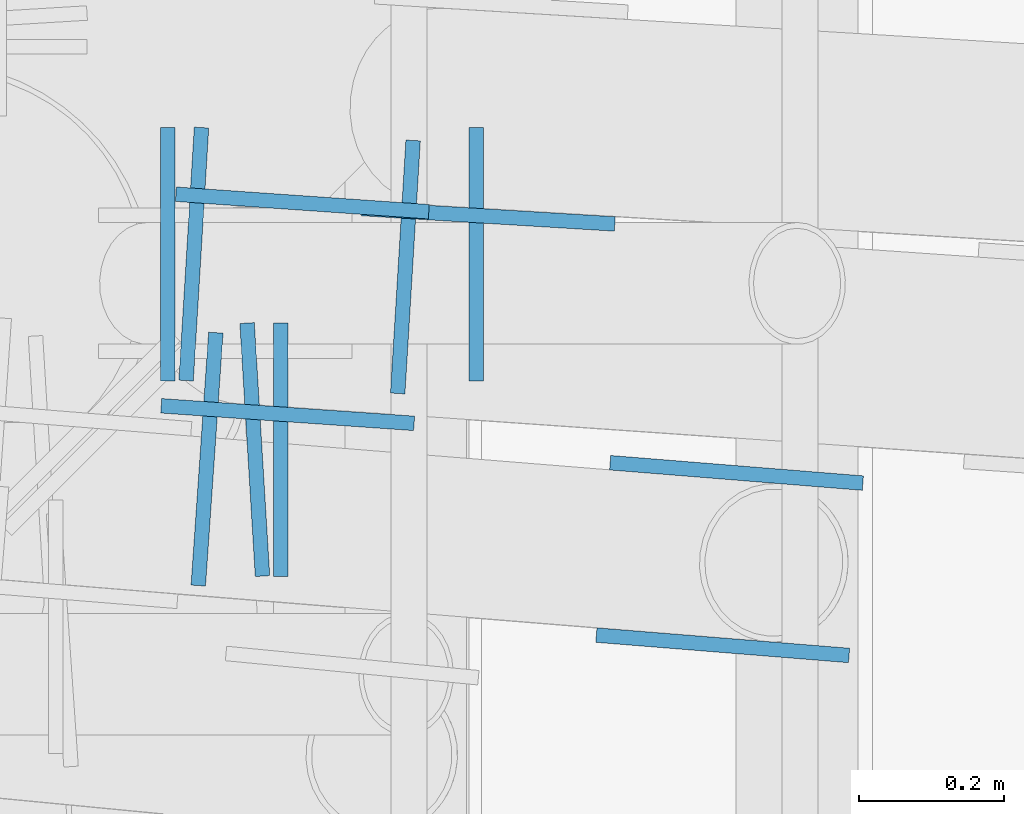
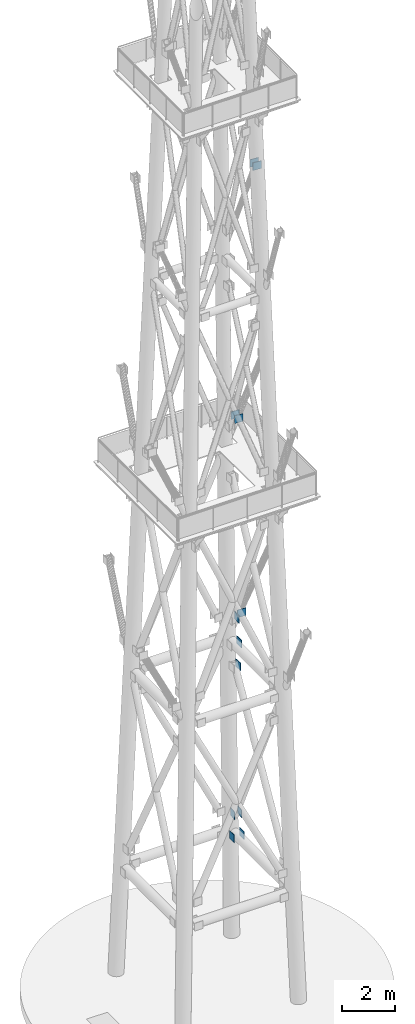
# One storey, part 22 of 25: 12 discrete accessories.
"""IFC4 building model written with IfcOpenShell, lengths in metres."""

from ifc_helpers import new_model, si_unit, direction, frame, origin, origin_2d, place, context, subcontext, project, spatial, rectangle, extrude, element, save


model = new_model("IFC4")

# Units and contexts
model_context = context("Model", 3, precision=1e-05, world=origin(), true_north=direction((0.0, 1.0)))
body_context = subcontext(model_context, "Body", "Model", "MODEL_VIEW")
ifc_project = project(units=[si_unit("LENGTHUNIT", "METRE"), si_unit("AREAUNIT", "SQUARE_METRE"), si_unit("VOLUMEUNIT", "CUBIC_METRE"), si_unit("PLANEANGLEUNIT", "RADIAN"), si_unit("MASSUNIT", "GRAM", prefix="KILO")], contexts=[model_context])

# Site, building, storey
site_placement = place(None, origin())
site = spatial("IfcSite", under=ifc_project, at=site_placement, CompositionType="ELEMENT")
building_placement = place(site_placement, origin())
building = spatial("IfcBuilding", under=site, at=building_placement, Name="Vidyagriha Tower", CompositionType="ELEMENT")
storey_placement = place(building_placement, frame((0.0, 0.0, 318.39990234375)))
storey = spatial("IfcBuildingStorey", under=building, at=storey_placement, Name="RF", CompositionType="ELEMENT", Elevation=318.39990234375)

# Discrete accessories
for number, where, z_axis, x_axis, name in (
    (1, (2.136962890625, 14.85009765625, 4.824951171875), (0.0, 0.0, 1.0), (0.0, 1.0, 0.0), "End plate ASTM A572 Grade 50 20mm"),
    (2, (2.56298828125, 14.85009765625, 4.824951171875), (0.0, 0.0, 1.0), (0.0, 1.0, 0.0), "End plate ASTM A572 Grade 50 20mm"),
    (3, (2.29296875, 14.580078125, 13.824951171875), (0.0, 0.0, 1.0), (0.0, 1.0, 0.0), "End plate ASTM A572 Grade 50 20mm"),
    (4, (2.257080078125, 14.58056640625, 12.792236328125), (0.0, 0.0, 1.0), (-0.060820326265, 0.998148730357, 0.0), "End plate ASTM A572 Grade 50 20mm"),
    (5, (2.1728515625, 14.8505859375, 5.85791015625), (0.0, 0.0, 1.0), (0.060823810461, 0.998148518048, 0.0), "End plate ASTM A572 Grade 50 20mm"),
    (6, (2.465087890625, 14.832763671875, 5.85791015625), (0.0, 0.0, 1.0), (0.060823810461, 0.998148518048, 0.0), "End plate ASTM A572 Grade 50 20mm"),
    (7, (2.57958984375, 14.90283203125, 14.85791015625), (0.0, 0.0, 1.0), (-0.998150322287, 0.060794194772, 0.0), "End plate ASTM A572 Grade 50 20mm"),
    (8, (2.191162109375, 14.5673828125, 14.988037109375), (0.0, 0.0, 1.0), (0.069244587734, 0.997599712846, 0.0), "End plate ASTM A572 Grade 50 20mm"),
    (9, (2.302490234375, 14.62890625, 23.988037109375), (0.0, 0.0, 1.0), (-0.997599229403, 0.069251552292, 0.0), "End plate ASTM A572 Grade 50 20mm"),
    (10, (2.32275390625, 14.921142578125, 23.988037109375), (0.0, 0.0, 1.0), (-0.997599229403, 0.069251552292, 0.0), "End plate ASTM A572 Grade 50 20mm"),
    (11, (2.92236328125, 14.54833984375, 35.51318359375), (0.0, 0.0, 1.0), (0.996766829504, -0.080348538256, 0.0), "End plate ASTM A572 Grade 50 20mm"),
    (12, (2.9033203125, 14.310302734375, 35.51318359375), (0.0, 0.0, 1.0), (0.996766829504, -0.080348538256, 0.0), "End plate ASTM A572 Grade 50 20mm"),
):
    element("IfcDiscreteAccessory", number, at=place(storey_placement, frame(where, z_axis=z_axis, x_axis=x_axis)), inside=storey, Name=name, ObjectType="END PLATE", PredefinedType="USERDEFINED", context=body_context, shape_type="SweptSolid", body=[
        extrude(rectangle(XDim=0.35009765625, YDim=0.02001953125, at=origin_2d()), origin(), (0.0, 0.0, 1.0), 0.35009765625),
    ])

save(model, "model.ifc")
